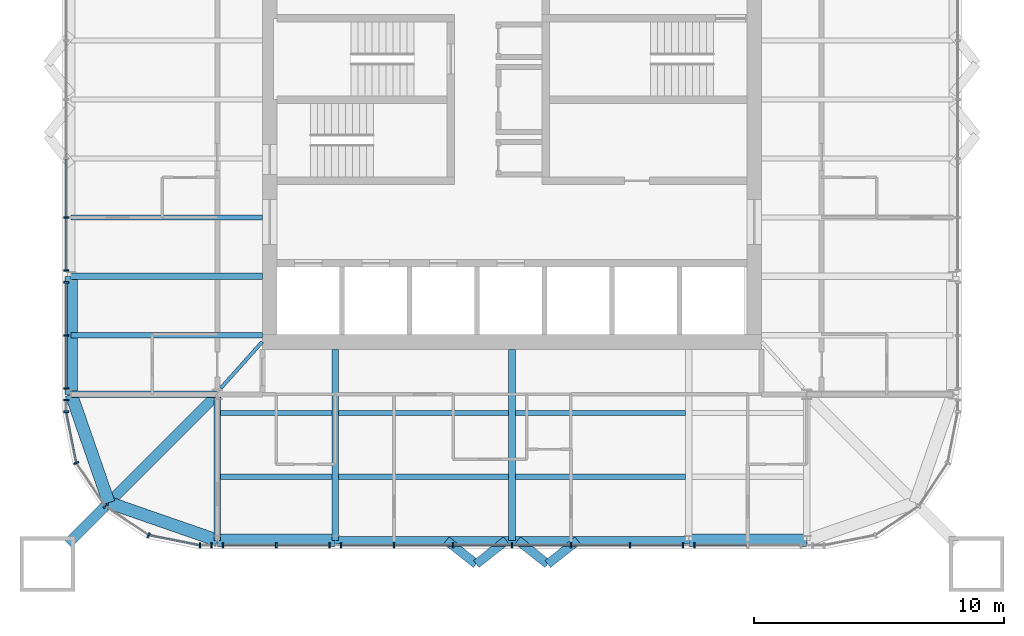
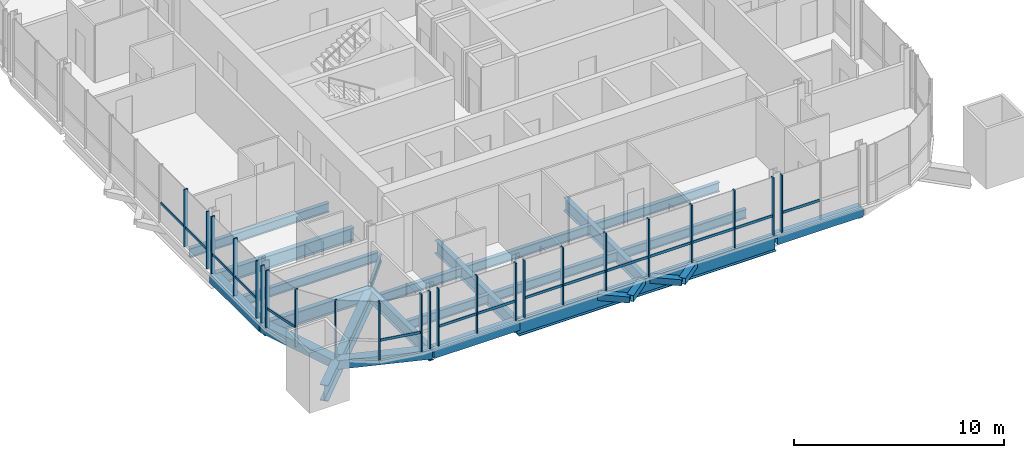
# One storey, part 2 of 17: 38 members, 25 beams, 8 elements without a shape of their own.
"""IFC4 building model written with IfcOpenShell, lengths in metres."""

import ifcopenshell
import ifcopenshell.guid

model = None  # the IFC model being written
_history = None  # IfcOwnerHistory: only IFC2X3 demands one
_inside = {}  # id of a spatial element -> (the spatial element, [elements in it])
_under = {}  # id of a project, library or spatial element -> (it, [spatial elements below it])
_declared = {}  # id of a project -> (the project, [libraries it declares])
_typed = {}  # id of a type object -> (the type object, [elements of that type])
_made_of = {}  # id of a material, layer set ... -> (it, [elements and type objects made of it])


def new_model(schema):
    """Start an empty IFC model of exactly this schema.

    Asked for "IFC4X3", IfcOpenShell would pick the latest addendum, in which some entities
    have other attributes; the version numbers below select the first issue.
    IFC2X3 requires an IfcOwnerHistory on every rooted entity: one is made here for all.
    """
    global model, _history
    if schema == "IFC4X3":
        model = ifcopenshell.file(schema_version=(4, 3, 0, 0))
    else:
        model = ifcopenshell.file(schema=schema)
    _inside.clear()
    _under.clear()
    _declared.clear()
    _typed.clear()
    _made_of.clear()
    _history = None
    if model.schema == "IFC2X3":
        org = make("IfcOrganization", Name="unknown")
        user = make(
            "IfcPersonAndOrganization",
            ThePerson=make("IfcPerson", FamilyName="unknown"),
            TheOrganization=org,
        )
        app = make(
            "IfcApplication",
            ApplicationDeveloper=org,
            Version="unknown",
            ApplicationFullName="unknown",
            ApplicationIdentifier="unknown",
        )
        _history = make(
            "IfcOwnerHistory",
            OwningUser=user,
            OwningApplication=app,
            ChangeAction="ADDED",
            CreationDate=0,
        )
    return model


def make(cls, **values):
    """One entity of the class cls with the attributes given. An attribute that is None is left unset."""
    return model.create_entity(
        cls, **{name: value for name, value in values.items() if value is not None}
    )


def rooted(cls, **values):
    """An entity with a GlobalId (a new one), such as an element, a storey or a relation."""
    return make(cls, GlobalId=ifcopenshell.guid.new(), OwnerHistory=_history, **values)


def si_unit(unit_type, name, prefix=None):
    """IfcSIUnit, for example si_unit("LENGTHUNIT", "METRE", prefix="MILLI")."""
    return make("IfcSIUnit", UnitType=unit_type, Prefix=prefix, Name=name)


def assignment(units):
    """IfcUnitAssignment: the units of a project."""
    return None if units is None else make("IfcUnitAssignment", Units=units)


def point(xyz):
    """IfcCartesianPoint."""
    return None if xyz is None else make("IfcCartesianPoint", Coordinates=xyz)


def direction(xyz):
    """IfcDirection."""
    return None if xyz is None else make("IfcDirection", DirectionRatios=xyz)


def frame(location, z_axis=None, x_axis=None):
    """IfcAxis2Placement3D, a coordinate frame: its origin and axes. An axis left out is left unset."""
    return make(
        "IfcAxis2Placement3D",
        Location=point(location),
        Axis=direction(z_axis),
        RefDirection=direction(x_axis),
    )


def frame_2d(location, x_axis=None):
    """IfcAxis2Placement2D, a coordinate frame in the plane: its origin and x axis."""
    return make(
        "IfcAxis2Placement2D", Location=point(location), RefDirection=direction(x_axis)
    )


def origin():
    """The frame at (0, 0, 0) with its axes left unset."""
    return frame((0.0, 0.0, 0.0))


def origin_2d():
    """The frame at (0, 0) in the plane with its x axis left unset."""
    return frame_2d((0.0, 0.0))


def place(relative_to, where):
    """IfcLocalPlacement: puts the frame where relative to a parent placement (None: the world)."""
    return make(
        "IfcLocalPlacement", PlacementRelTo=relative_to, RelativePlacement=where
    )


def context(
    kind, dimensions, precision=None, world=None, true_north=None, identifier=None
):
    """IfcGeometricRepresentationContext, for example the 3D "Model" context."""
    return make(
        "IfcGeometricRepresentationContext",
        ContextIdentifier=identifier,
        ContextType=kind,
        CoordinateSpaceDimension=dimensions,
        Precision=precision,
        WorldCoordinateSystem=world,
        TrueNorth=true_north,
    )


def subcontext(parent, identifier, kind, view, scale=None):
    """IfcGeometricRepresentationSubContext, for example "Body" below "Model"."""
    return make(
        "IfcGeometricRepresentationSubContext",
        ContextIdentifier=identifier,
        ContextType=kind,
        ParentContext=parent,
        TargetScale=scale,
        TargetView=view,
    )


def project(units=None, contexts=None):
    """IfcProject with its units and contexts."""
    return rooted(
        "IfcProject",
        Name="project",
        RepresentationContexts=contexts,
        UnitsInContext=assignment(units),
    )


def spatial(cls, under=None, at=None, **own):
    """A site, building, storey or space (cls), placed at a placement, below another one or the project."""
    s = rooted(cls, ObjectPlacement=at, **own)
    if under is not None:
        _under.setdefault(under.id(), (under, []))[1].append(s)
    return s


def profile(cls, at=None, kind="AREA", **sizes):
    """A parametric profile (cls). Its sizes go by their IFC names, for example OverallWidth=200.0."""
    return make(cls, ProfileType=kind, Position=at, **sizes)


def rectangle(**sizes):
    """IfcRectangleProfileDef."""
    return profile("IfcRectangleProfileDef", **sizes)


def hollow_rectangle(**sizes):
    """IfcRectangleHollowProfileDef."""
    return profile("IfcRectangleHollowProfileDef", **sizes)


def i_section(**sizes):
    """IfcIShapeProfileDef."""
    return profile("IfcIShapeProfileDef", **sizes)


def extrude(swept, where, along, depth):
    """IfcExtrudedAreaSolid: the profile swept, set in the frame where, extruded along a direction by depth."""
    return make(
        "IfcExtrudedAreaSolid",
        SweptArea=swept,
        Position=where,
        ExtrudedDirection=direction(along),
        Depth=depth,
    )


def shape(context_of_items, identifier, shape_type, items):
    """IfcShapeRepresentation: the items that make up one representation, for example the "Body"."""
    return make(
        "IfcShapeRepresentation",
        ContextOfItems=context_of_items,
        RepresentationIdentifier=identifier,
        RepresentationType=shape_type,
        Items=items,
    )


def material(Name=None, Category=None):
    """IfcMaterial."""
    return make("IfcMaterial", Name=Name, Category=Category)


def material_profile(
    of_material, cross_section, Name=None, Category=None, Priority=None
):
    """IfcMaterialProfile: a cross section and its material."""
    return make(
        "IfcMaterialProfile",
        Name=Name,
        Material=of_material,
        Profile=cross_section,
        Priority=Priority,
        Category=Category,
    )


def profile_set(profiles, Name=None, composite=None):
    """IfcMaterialProfileSet."""
    return make(
        "IfcMaterialProfileSet",
        Name=Name,
        MaterialProfiles=profiles,
        CompositeProfile=composite,
    )


def made_of(thing, what):
    """Note that an element or type object is made of a material, layer set ...; save() writes the relation."""
    if what is not None:
        _made_of.setdefault(what.id(), (what, []))[1].append(thing)
    return thing


def type_object(cls, material=None, **own):
    """A type object (cls), such as IfcWallType, which elements share."""
    return made_of(rooted(cls, **own), material)


def element(
    cls,
    number,
    at=None,
    inside=None,
    cuts=None,
    type_object=None,
    material=None,
    context=None,
    identifier="Body",
    shape_type=None,
    held_by="IfcProductDefinitionShape",
    body=None,
    shapes=None,
    **own,
):
    """One element of the class cls, such as IfcWall. Its Tag is "e" and its number.

    at: its placement. inside: the storey or other place that contains it. cuts: it is an
    opening in that element (IfcRelVoidsElement). A single representation is given by context,
    identifier, shape_type and body (its items); several are given by shapes. held_by: the class
    of the entity that holds the representations. save() writes the other relations.
    """
    e = rooted(cls, Tag="e%d" % number, ObjectPlacement=at, **own)
    if body is not None:
        shapes = [shape(context, identifier, shape_type, body)]
    if shapes is not None:
        e.Representation = make(held_by, Representations=shapes)
    if inside is not None:
        _inside.setdefault(inside.id(), (inside, []))[1].append(e)
    if cuts is not None:
        rooted(
            "IfcRelVoidsElement", RelatingBuildingElement=cuts, RelatedOpeningElement=e
        )
    if type_object is not None:
        _typed.setdefault(type_object.id(), (type_object, []))[1].append(e)
    return made_of(e, material)


def aggregate(whole, parts):
    """IfcRelAggregates: a whole, such as a stair, and the parts it consists of."""
    return rooted("IfcRelAggregates", RelatingObject=whole, RelatedObjects=parts)


def save(model, path):
    """Write the relations noted so far, then the file.

    IfcRelAggregates (storeys below a building ...), IfcRelContainedInSpatialStructure (elements
    in a storey), IfcRelDefinesByType, IfcRelAssociatesMaterial and IfcRelDeclares: one each for
    every whole, place, type object, material and project.
    """
    for whole, parts in _under.values():
        aggregate(whole, parts)
    for where, things in _inside.values():
        rooted(
            "IfcRelContainedInSpatialStructure",
            RelatedElements=things,
            RelatingStructure=where,
        )
    for kind, things in _typed.values():
        rooted("IfcRelDefinesByType", RelatedObjects=things, RelatingType=kind)
    for what, things in _made_of.values():
        rooted("IfcRelAssociatesMaterial", RelatedObjects=things, RelatingMaterial=what)
    for by, libraries in _declared.values():
        rooted("IfcRelDeclares", RelatingContext=by, RelatedDefinitions=libraries)
    model.write(path)


model = new_model("IFC4")

# Units and contexts
model_context = context("Model", 3, precision=1e-05, world=origin(), true_north=direction((0.0, 1.0)))
body_context = subcontext(model_context, "Body", "Model", "MODEL_VIEW")
ifc_project = project(units=[si_unit("LENGTHUNIT", "METRE"), si_unit("AREAUNIT", "SQUARE_METRE"), si_unit("VOLUMEUNIT", "CUBIC_METRE"), si_unit("PLANEANGLEUNIT", "RADIAN"), si_unit("MASSUNIT", "GRAM", prefix="KILO")], contexts=[model_context])

# Site, building, storey
site_placement = place(None, origin())
site = spatial("IfcSite", under=ifc_project, at=site_placement, CompositionType="ELEMENT")
building_placement = place(site_placement, origin())
building = spatial("IfcBuilding", under=site, at=building_placement, Name="Turquesa Mirador Hotel Tower", CompositionType="ELEMENT")
storey_placement = place(building_placement, frame((0.0, 0.0, 247.699951171875)))
storey = spatial("IfcBuildingStorey", under=building, at=storey_placement, Name="L67", CompositionType="ELEMENT", Elevation=247.699951171875)

# Beams
ifc_material_1 = material(Name="Steel ASTM A572 Grade 50", Category="steel")
ifc_material_profile_1 = material_profile(ifc_material_1, hollow_rectangle(XDim=0.5, YDim=0.5, WallThickness=0.01611328125, at=origin_2d()), Name="BOX500X500X16")
ifc_profile_set_1 = profile_set([ifc_material_profile_1], Name="Steel ASTM A572 Grade 50")
beam_type_1 = type_object("IfcBeamType", Name="BEAM BOX500X500X16", PredefinedType="BEAM", material=ifc_profile_set_1)
for number, where, z_axis, x_axis, name in (
    (1, (43.199951171875, 27.35009765625, -0.419921875), (1.0, 0.0, 0.0), (0.0, 1.0, 0.0), "EB-L67-S-L"),
    (2, (62.080078125, 27.35009765625, -0.419921875), (1.0, 0.0, 0.0), (0.0, 1.0, 0.0), "EB-L67-S-R"),
    (3, (37.35009765625, 33.199951171875, -0.419921875), (0.0, 1.0, 0.0), (-1.0, 0.0, 0.0), "EB-L67-W-L"),
):
    element("IfcBeam", number, at=place(storey_placement, frame(where, z_axis=z_axis, x_axis=x_axis)), inside=storey, type_object=beam_type_1, Name=name, PredefinedType="BEAM", context=body_context, shape_type="SweptSolid", body=[
        extrude(hollow_rectangle(XDim=0.5, YDim=0.5, WallThickness=0.01611328125, at=origin_2d()), origin(), (0.0, 0.0, 1.0), 4.719970703125),
    ])
for number, where, z_axis, x_axis, name in (
    (4, (37.35009765625, 33.199951171875, -0.419921875), (0.328170356092, -0.944618556552, 0.0), (0.944618556552, 0.328170356092, 0.0), "KE-L67-3-0"),
    (5, (38.8583984375, 28.8583984375, -0.419921875), (0.944618556552, -0.328170356092, 0.0), (0.328170356092, 0.944618556552, 0.0), "KE-L67-3-1"),
):
    element("IfcBeam", number, at=place(storey_placement, frame(where, z_axis=z_axis, x_axis=x_axis)), inside=storey, type_object=beam_type_1, Name=name, PredefinedType="BEAM", context=body_context, shape_type="SweptSolid", body=[
        extrude(hollow_rectangle(XDim=0.5, YDim=0.5, WallThickness=0.01611328125, at=origin_2d()), origin(), (0.0, 0.0, 1.0), 4.59619140625),
    ])
ifc_material_2 = material(Name="Steel ASTM A992 Grade 50", Category="steel")
ifc_material_profile_2 = material_profile(ifc_material_2, i_section(OverallWidth=0.140380859375, OverallDepth=0.40380859375, WebThickness=0.007080078125, FlangeThickness=0.01123046875, at=origin_2d()), Name="W16X31")
ifc_profile_set_2 = profile_set([ifc_material_profile_2], Name="Steel ASTM A992 Grade 50")
beam_type_2 = type_object("IfcBeamType", Name="BEAM W16X31", PredefinedType="BEAM", material=ifc_profile_set_2)
beam_1_placement = place(storey_placement, frame((43.343505859375, 33.44873046875, -0.371826171875), z_axis=(0.666806350186, 0.745231032198, 0.0), x_axis=(-0.745231032198, 0.666806350186, 0.0)))
element("IfcBeam", 6, at=beam_1_placement, inside=storey, type_object=beam_type_2, Name="KT-L67-3", PredefinedType="BEAM", context=body_context, shape_type="SweptSolid", body=[
    extrude(i_section(OverallWidth=0.140380859375, OverallDepth=0.40380859375, WebThickness=0.007080078125, FlangeThickness=0.01123046875, at=origin_2d()), origin(), (0.0, 0.0, 1.0), 2.484130859375),
])
ifc_material_3 = material(Name="Steel ASTM A992 Grade 50", Category="steel")
ifc_material_profile_3 = material_profile(ifc_material_3, i_section(OverallWidth=0.209228515625, OverallDepth=0.533447265625, WebThickness=0.01025390625, FlangeThickness=0.015625, at=origin_2d()), Name="W21X62")
ifc_profile_set_3 = profile_set([ifc_material_profile_3], Name="Steel ASTM A992 Grade 50")
beam_type_3 = type_object("IfcBeamType", Name="BEAM W21X62", PredefinedType="BEAM", material=ifc_profile_set_3)
beam_2_placement = place(storey_placement, frame((43.333251953125, 32.449951171875, -0.436767578125), z_axis=(1.0, 0.0, 0.0), x_axis=(0.0, 1.0, 0.0)))
element("IfcBeam", 7, at=beam_2_placement, inside=storey, type_object=beam_type_3, Name="IB-L67-S-1-0", PredefinedType="BEAM", context=body_context, shape_type="SweptSolid", body=[
    extrude(i_section(OverallWidth=0.209228515625, OverallDepth=0.533447265625, WebThickness=0.01025390625, FlangeThickness=0.015625, at=origin_2d()), origin(), (0.0, 0.0, 1.0), 4.453369140625),
])
for number, where, z_axis, x_axis, name in (
    (8, (48.053466796875, 32.449951171875, -0.436767578125), (1.0, 0.0, 0.0), (0.0, 1.0, 0.0), "IB-L67-S-1-1"),
    (9, (55.13330078125, 32.449951171875, -0.436767578125), (1.0, 0.0, 0.0), (0.0, 1.0, 0.0), "IB-L67-S-1-2"),
):
    element("IfcBeam", number, at=place(storey_placement, frame(where, z_axis=z_axis, x_axis=x_axis)), inside=storey, type_object=beam_type_3, Name=name, PredefinedType="BEAM", context=body_context, shape_type="SweptSolid", body=[
        extrude(i_section(OverallWidth=0.209228515625, OverallDepth=0.533447265625, WebThickness=0.01025390625, FlangeThickness=0.015625, at=origin_2d()), origin(), (0.0, 0.0, 1.0), 6.813232421875),
    ])
beam_3_placement = place(storey_placement, frame((43.333251953125, 29.89990234375, -0.436767578125), z_axis=(1.0, 0.0, 0.0), x_axis=(0.0, 1.0, 0.0)))
element("IfcBeam", 10, at=beam_3_placement, inside=storey, type_object=beam_type_3, Name="IB-L67-S-2-0", PredefinedType="BEAM", context=body_context, shape_type="SweptSolid", body=[
    extrude(i_section(OverallWidth=0.209228515625, OverallDepth=0.533447265625, WebThickness=0.01025390625, FlangeThickness=0.015625, at=origin_2d()), origin(), (0.0, 0.0, 1.0), 4.453369140625),
])
for number, where, z_axis, x_axis, name in (
    (11, (48.053466796875, 29.89990234375, -0.436767578125), (1.0, 0.0, 0.0), (0.0, 1.0, 0.0), "IB-L67-S-2-1"),
    (12, (55.13330078125, 29.89990234375, -0.436767578125), (1.0, 0.0, 0.0), (0.0, 1.0, 0.0), "IB-L67-S-2-2"),
):
    element("IfcBeam", number, at=place(storey_placement, frame(where, z_axis=z_axis, x_axis=x_axis)), inside=storey, type_object=beam_type_3, Name=name, PredefinedType="BEAM", context=body_context, shape_type="SweptSolid", body=[
        extrude(i_section(OverallWidth=0.209228515625, OverallDepth=0.533447265625, WebThickness=0.01025390625, FlangeThickness=0.015625, at=origin_2d()), origin(), (0.0, 0.0, 1.0), 6.813232421875),
    ])
for number, where, z_axis, x_axis, name in (
    (13, (37.35009765625, 35.56005859375, -0.436767578125), (1.0, 0.0, 0.0), (0.0, 1.0, 0.0), "BM-L67-W--9.44"),
    (14, (37.35009765625, 40.280029296875, -0.436767578125), (1.0, 0.0, 0.0), (0.0, 1.0, 0.0), "BM-L67-W--4.72"),
):
    element("IfcBeam", number, at=place(storey_placement, frame(where, z_axis=z_axis, x_axis=x_axis)), inside=storey, type_object=beam_type_3, Name=name, PredefinedType="BEAM", context=body_context, shape_type="SweptSolid", body=[
        extrude(i_section(OverallWidth=0.209228515625, OverallDepth=0.533447265625, WebThickness=0.01025390625, FlangeThickness=0.015625, at=origin_2d()), origin(), (0.0, 0.0, 1.0), 7.64990234375),
    ])
ifc_material_4 = material(Name="Steel ASTM A992 Grade 50", Category="steel")
ifc_material_profile_4 = material_profile(ifc_material_4, i_section(OverallWidth=0.2666015625, OverallDepth=0.7568359375, WebThickness=0.013916015625, FlangeThickness=0.019287109375, at=origin_2d()), Name="W30X108")
ifc_profile_set_4 = profile_set([ifc_material_profile_4], Name="Steel ASTM A992 Grade 50")
beam_type_4 = type_object("IfcBeamType", Name="BEAM W30X108", PredefinedType="BEAM", material=ifc_profile_set_4)
for number, where, z_axis, x_axis, name in (
    (15, (47.919921875, 27.35009765625, -0.54833984375), (0.0, 1.0, 0.0), (-1.0, 0.0, 0.0), "GD-L67-S--7.08"),
    (16, (55.0, 27.35009765625, -0.54833984375), (0.0, 1.0, 0.0), (-1.0, 0.0, 0.0), "GD-L67-S-+0.00"),
):
    element("IfcBeam", number, at=place(storey_placement, frame(where, z_axis=z_axis, x_axis=x_axis)), inside=storey, type_object=beam_type_4, Name=name, PredefinedType="BEAM", context=body_context, shape_type="SweptSolid", body=[
        extrude(i_section(OverallWidth=0.2666015625, OverallDepth=0.7568359375, WebThickness=0.013916015625, FlangeThickness=0.019287109375, at=origin_2d()), origin(), (0.0, 0.0, 1.0), 7.64990234375),
    ])
beam_4_placement = place(storey_placement, frame((43.199951171875, 27.35009765625, -0.54833984375), z_axis=(0.0, 1.0, 0.0), x_axis=(-1.0, 0.0, 0.0)))
element("IfcBeam", 17, at=beam_4_placement, inside=storey, type_object=beam_type_4, Name="GK-L67-S--11.80", PredefinedType="BEAM", context=body_context, shape_type="SweptSolid", body=[
    extrude(i_section(OverallWidth=0.2666015625, OverallDepth=0.7568359375, WebThickness=0.013916015625, FlangeThickness=0.019287109375, at=origin_2d()), origin(), (0.0, 0.0, 1.0), 5.849853515625),
])
beam_5_placement = place(storey_placement, frame((37.35009765625, 37.919921875, -0.54833984375), z_axis=(1.0, 0.0, 0.0), x_axis=(0.0, 1.0, 0.0)))
element("IfcBeam", 18, at=beam_5_placement, inside=storey, type_object=beam_type_4, Name="GD-L67-W--7.08", PredefinedType="BEAM", context=body_context, shape_type="SweptSolid", body=[
    extrude(i_section(OverallWidth=0.2666015625, OverallDepth=0.7568359375, WebThickness=0.013916015625, FlangeThickness=0.019287109375, at=origin_2d()), origin(), (0.0, 0.0, 1.0), 7.64990234375),
])
beam_6_placement = place(storey_placement, frame((37.35009765625, 33.199951171875, -0.54833984375), z_axis=(1.0, 0.0, 0.0), x_axis=(0.0, 1.0, 0.0)))
element("IfcBeam", 19, at=beam_6_placement, inside=storey, type_object=beam_type_4, Name="GK-L67-W--11.80", PredefinedType="BEAM", context=body_context, shape_type="SweptSolid", body=[
    extrude(i_section(OverallWidth=0.2666015625, OverallDepth=0.7568359375, WebThickness=0.013916015625, FlangeThickness=0.019287109375, at=origin_2d()), origin(), (0.0, 0.0, 1.0), 5.849853515625),
])
ifc_material_5 = material(Name="Steel ASTM A992 Grade 50", Category="steel")
ifc_material_profile_5 = material_profile(ifc_material_5, i_section(OverallWidth=0.3046875, OverallDepth=0.911865234375, WebThickness=0.015869140625, FlangeThickness=0.02392578125, at=origin_2d()), Name="W36X150")
ifc_profile_set_5 = profile_set([ifc_material_profile_5], Name="Steel ASTM A992 Grade 50")
beam_type_5 = type_object("IfcBeamType", Name="BEAM W36X150", PredefinedType="BEAM", material=ifc_profile_set_5)
beam_7_placement = place(storey_placement, frame((47.919921875, 27.35009765625, -0.6259765625), z_axis=(1.0, 0.0, 0.0), x_axis=(0.0, 1.0, 0.0)))
element("IfcBeam", 20, at=beam_7_placement, inside=storey, type_object=beam_type_5, Name="EB-L67-S-C", PredefinedType="BEAM", context=body_context, shape_type="SweptSolid", body=[
    extrude(i_section(OverallWidth=0.3046875, OverallDepth=0.911865234375, WebThickness=0.015869140625, FlangeThickness=0.02392578125, at=origin_2d()), origin(), (0.0, 0.0, 1.0), 14.16015625),
])
ifc_material_6 = material(Name="Steel ASTM A992 Grade 50", Category="steel")
ifc_material_profile_6 = material_profile(ifc_material_6, i_section(OverallWidth=0.419189453125, OverallDepth=0.927001953125, WebThickness=0.019287109375, FlangeThickness=0.031982421875, at=origin_2d()), Name="W36X231")
ifc_profile_set_6 = profile_set([ifc_material_profile_6], Name="Steel ASTM A992 Grade 50")
beam_type_6 = type_object("IfcBeamType", Name="BEAM W36X231", PredefinedType="BEAM", material=ifc_profile_set_6)
beam_8_placement = place(storey_placement, frame((43.199951171875, 33.199951171875, -0.633544921875), z_axis=(-0.707106781187, -0.707106781187, 0.0), x_axis=(0.707106781187, -0.707106781187, 0.0)))
element("IfcBeam", 21, at=beam_8_placement, inside=storey, type_object=beam_type_6, Name="KD-L67-3", PredefinedType="BEAM", context=body_context, shape_type="SweptSolid", body=[
    extrude(i_section(OverallWidth=0.419189453125, OverallDepth=0.927001953125, WebThickness=0.019287109375, FlangeThickness=0.031982421875, at=origin_2d()), origin(), (0.0, 0.0, 1.0), 8.46240234375),
])
ifc_material_7 = material(Name="Steel ASTM A500 Grade C", Category="steel")
ifc_material_profile_7 = material_profile(ifc_material_7, hollow_rectangle(XDim=0.355712890625, YDim=0.355712890625, WallThickness=0.0146484375, at=origin_2d()), Name="HSS14X14X5/8")
ifc_profile_set_7 = profile_set([ifc_material_profile_7], Name="Steel ASTM A500 Grade C")
beam_type_7 = type_object("IfcBeamType", Name="BRACE STRUT HSS14X14X5/8", PredefinedType="BEAM", material=ifc_profile_set_7)
beam_9_placement = place(storey_placement, frame((53.5693359375, 26.39990234375, -0.34765625), z_axis=(-0.784032888399, 0.620719284306, 0.0), x_axis=(-0.620719284306, -0.784032888399, 0.0)))
element("IfcBeam", 22, at=beam_9_placement, inside=storey, type_object=beam_type_7, Name="Brace strut", PredefinedType="BEAM", context=body_context, shape_type="SweptSolid", body=[
    extrude(hollow_rectangle(XDim=0.355712890625, YDim=0.355712890625, WallThickness=0.0146484375, at=origin_2d()), origin(), (0.0, 0.0, 1.0), 1.53076171875),
])
for number, where, z_axis, x_axis, name in (
    (23, (53.5693359375, 26.39990234375, -0.34765625), (0.783971428146, 0.620796907089, 0.0), (-0.620796907089, 0.783971428146, 0.0), "Brace strut"),
    (24, (56.4306640625, 26.39990234375, -0.34765625), (-0.783971428146, 0.620796907089, 0.0), (-0.620796907089, -0.783971428146, 0.0), "Brace strut"),
):
    element("IfcBeam", number, at=place(storey_placement, frame(where, z_axis=z_axis, x_axis=x_axis)), inside=storey, type_object=beam_type_7, Name=name, PredefinedType="BEAM", context=body_context, shape_type="SweptSolid", body=[
        extrude(hollow_rectangle(XDim=0.355712890625, YDim=0.355712890625, WallThickness=0.0146484375, at=origin_2d()), origin(), (0.0, 0.0, 1.0), 1.530517578125),
    ])
beam_10_placement = place(storey_placement, frame((56.4306640625, 26.39990234375, -0.34765625), z_axis=(0.784032888399, 0.620719284306, 0.0), x_axis=(-0.620719284306, 0.784032888399, 0.0)))
element("IfcBeam", 25, at=beam_10_placement, inside=storey, type_object=beam_type_7, Name="Brace strut", PredefinedType="BEAM", context=body_context, shape_type="SweptSolid", body=[
    extrude(hollow_rectangle(XDim=0.355712890625, YDim=0.355712890625, WallThickness=0.0146484375, at=origin_2d()), origin(), (0.0, 0.0, 1.0), 1.53076171875),
])

# Curtain wall, members
ifc_material_8 = material(Name="Aluminium extrusion", Category="aluminium")
curtain_wall_type = type_object("IfcCurtainWallType", Name="CW-4 SUITE FRITTED CURTAIN WALL", PredefinedType="USERDEFINED", material=ifc_material_8)
curtain_wall_1_placement = place(storey_placement, origin())
curtain_wall_1 = element("IfcCurtainWall", 26, at=curtain_wall_1_placement, inside=storey, type_object=curtain_wall_type, Name="CW-4 SUITE FRITTED CURTAIN WALL L67", ObjectType="CURTAIN WALL", PredefinedType="USERDEFINED")
ifc_material_9 = material(Name="Aluminium extrusion", Category="aluminium")
ifc_material_profile_8 = material_profile(ifc_material_9, rectangle(XDim=0.06494140625, YDim=0.199951171875, at=origin_2d()), Name="MULLION 65X200")
ifc_profile_set_8 = profile_set([ifc_material_profile_8], Name="Aluminium extrusion")
member_type_1 = type_object("IfcMemberType", Name="CW MULLION 65X200", PredefinedType="MULLION", material=ifc_profile_set_8)
member_1_placement = place(storey_placement, frame((37.14990234375, 40.280029296875, 0.0), z_axis=(0.0, 0.0, 1.0), x_axis=(0.0, -1.0, 0.0)))
member_1 = element("IfcMember", 27, at=member_1_placement, type_object=member_type_1, Name="Mullion", PredefinedType="MULLION", context=body_context, shape_type="SweptSolid", body=[
    extrude(rectangle(XDim=0.06494140625, YDim=0.199951171875, at=origin_2d()), origin(), (0.0, 0.0, 1.0), 3.330078125),
])
member_2_placement = place(storey_placement, frame((37.14990234375, 38.15380859375, 0.0), z_axis=(0.0, 0.0, 1.0), x_axis=(0.0, -1.0, 0.0)))
member_2 = element("IfcMember", 28, at=member_2_placement, type_object=member_type_1, Name="Mullion", PredefinedType="MULLION", context=body_context, shape_type="SweptSolid", body=[
    extrude(rectangle(XDim=0.06494140625, YDim=0.199951171875, at=origin_2d()), origin(), (0.0, 0.0, 1.0), 3.330078125),
])

curtain_wall_2_placement = place(storey_placement, origin())
curtain_wall_2 = element("IfcCurtainWall", 29, at=curtain_wall_2_placement, inside=storey, type_object=curtain_wall_type, Name="CW-4 SUITE FRITTED CURTAIN WALL L67", ObjectType="CURTAIN WALL", PredefinedType="USERDEFINED")
member_3_placement = place(storey_placement, frame((37.14990234375, 37.68603515625, 0.0), z_axis=(0.0, 0.0, 1.0), x_axis=(0.0, -1.0, 0.0)))
member_3 = element("IfcMember", 30, at=member_3_placement, type_object=member_type_1, Name="Mullion", PredefinedType="MULLION", context=body_context, shape_type="SweptSolid", body=[
    extrude(rectangle(XDim=0.06494140625, YDim=0.199951171875, at=origin_2d()), origin(), (0.0, 0.0, 1.0), 3.330078125),
])
member_4_placement = place(storey_placement, frame((37.14990234375, 35.56005859375, 0.0), z_axis=(0.0, 0.0, 1.0), x_axis=(0.0, -1.0, 0.0)))
member_4 = element("IfcMember", 31, at=member_4_placement, type_object=member_type_1, Name="Mullion", PredefinedType="MULLION", context=body_context, shape_type="SweptSolid", body=[
    extrude(rectangle(XDim=0.06494140625, YDim=0.199951171875, at=origin_2d()), origin(), (0.0, 0.0, 1.0), 3.330078125),
])
member_5_placement = place(storey_placement, frame((37.14990234375, 33.433837890625, 0.0), z_axis=(0.0, 0.0, 1.0), x_axis=(0.0, -1.0, 0.0)))
member_5 = element("IfcMember", 32, at=member_5_placement, type_object=member_type_1, Name="Mullion", PredefinedType="MULLION", context=body_context, shape_type="SweptSolid", body=[
    extrude(rectangle(XDim=0.06494140625, YDim=0.199951171875, at=origin_2d()), origin(), (0.0, 0.0, 1.0), 3.330078125),
])

curtain_wall_3_placement = place(storey_placement, origin())
curtain_wall_3 = element("IfcCurtainWall", 33, at=curtain_wall_3_placement, inside=storey, type_object=curtain_wall_type, Name="CW-4 SUITE FRITTED CURTAIN WALL L67", ObjectType="CURTAIN WALL", PredefinedType="USERDEFINED")
member_6_placement = place(storey_placement, frame((37.14990234375, 32.966064453125, 0.0), z_axis=(0.0, 0.0, 1.0), x_axis=(0.0, -1.0, 0.0)))
member_6 = element("IfcMember", 34, at=member_6_placement, type_object=member_type_1, Name="Mullion", PredefinedType="MULLION", context=body_context, shape_type="SweptSolid", body=[
    extrude(rectangle(XDim=0.06494140625, YDim=0.199951171875, at=origin_2d()), origin(), (0.0, 0.0, 1.0), 3.330078125),
])
member_7_placement = place(storey_placement, frame((37.14990234375, 32.5, 0.0), z_axis=(0.0, 0.0, 1.0), x_axis=(0.0, -1.0, 0.0)))
member_7 = element("IfcMember", 35, at=member_7_placement, type_object=member_type_1, Name="Mullion", PredefinedType="MULLION", context=body_context, shape_type="SweptSolid", body=[
    extrude(rectangle(XDim=0.06494140625, YDim=0.199951171875, at=origin_2d()), origin(), (0.0, 0.0, 1.0), 3.330078125),
])
aggregate(curtain_wall_3, [member_6, member_7])

curtain_wall_4_placement = place(storey_placement, origin())
curtain_wall_4 = element("IfcCurtainWall", 36, at=curtain_wall_4_placement, inside=storey, type_object=curtain_wall_type, Name="CW-4 SUITE FRITTED CURTAIN WALL L67", ObjectType="CURTAIN WALL", PredefinedType="USERDEFINED")
member_8_placement = place(storey_placement, frame((37.55712890625, 30.45263671875, 0.0), z_axis=(0.0, 0.0, 1.0), x_axis=(0.382683432365, -0.923879532511, 0.0)))
member_8 = element("IfcMember", 37, at=member_8_placement, type_object=member_type_1, Name="Mullion", PredefinedType="MULLION", context=body_context, shape_type="SweptSolid", body=[
    extrude(rectangle(XDim=0.06494140625, YDim=0.199951171875, at=origin_2d()), origin(), (0.0, 0.0, 1.0), 3.330078125),
])
member_9_placement = place(storey_placement, frame((38.717041015625, 28.717041015625, 0.0), z_axis=(0.0, 0.0, 1.0), x_axis=(0.707106781187, -0.707106781187, 0.0)))
member_9 = element("IfcMember", 38, at=member_9_placement, type_object=member_type_1, Name="Mullion", PredefinedType="MULLION", context=body_context, shape_type="SweptSolid", body=[
    extrude(rectangle(XDim=0.06494140625, YDim=0.199951171875, at=origin_2d()), origin(), (0.0, 0.0, 1.0), 3.330078125),
])
member_10_placement = place(storey_placement, frame((40.45263671875, 27.55712890625, 0.0), z_axis=(0.0, 0.0, 1.0), x_axis=(0.923879532511, -0.382683432365, 0.0)))
member_10 = element("IfcMember", 39, at=member_10_placement, type_object=member_type_1, Name="Mullion", PredefinedType="MULLION", context=body_context, shape_type="SweptSolid", body=[
    extrude(rectangle(XDim=0.06494140625, YDim=0.199951171875, at=origin_2d()), origin(), (0.0, 0.0, 1.0), 3.330078125),
])

curtain_wall_5_placement = place(storey_placement, origin())
curtain_wall_5 = element("IfcCurtainWall", 40, at=curtain_wall_5_placement, inside=storey, type_object=curtain_wall_type, Name="CW-4 SUITE FRITTED CURTAIN WALL L67", ObjectType="CURTAIN WALL", PredefinedType="USERDEFINED")
member_11_placement = place(storey_placement, frame((42.5, 27.14990234375, 0.0), z_axis=(0.0, 0.0, 1.0), x_axis=(1.0, 0.0, 0.0)))
member_11 = element("IfcMember", 41, at=member_11_placement, type_object=member_type_1, Name="Mullion", PredefinedType="MULLION", context=body_context, shape_type="SweptSolid", body=[
    extrude(rectangle(XDim=0.06494140625, YDim=0.199951171875, at=origin_2d()), origin(), (0.0, 0.0, 1.0), 3.330078125),
])
member_12_placement = place(storey_placement, frame((42.966064453125, 27.14990234375, 0.0), z_axis=(0.0, 0.0, 1.0), x_axis=(1.0, 0.0, 0.0)))
member_12 = element("IfcMember", 42, at=member_12_placement, type_object=member_type_1, Name="Mullion", PredefinedType="MULLION", context=body_context, shape_type="SweptSolid", body=[
    extrude(rectangle(XDim=0.06494140625, YDim=0.199951171875, at=origin_2d()), origin(), (0.0, 0.0, 1.0), 3.330078125),
])
aggregate(curtain_wall_5, [member_11, member_12])

curtain_wall_6_placement = place(storey_placement, origin())
curtain_wall_6 = element("IfcCurtainWall", 43, at=curtain_wall_6_placement, inside=storey, type_object=curtain_wall_type, Name="CW-4 SUITE FRITTED CURTAIN WALL L67", ObjectType="CURTAIN WALL", PredefinedType="USERDEFINED")
member_13_placement = place(storey_placement, frame((43.433837890625, 27.14990234375, 0.0), z_axis=(0.0, 0.0, 1.0), x_axis=(1.0, 0.0, 0.0)))
member_13 = element("IfcMember", 44, at=member_13_placement, type_object=member_type_1, Name="Mullion", PredefinedType="MULLION", context=body_context, shape_type="SweptSolid", body=[
    extrude(rectangle(XDim=0.06494140625, YDim=0.199951171875, at=origin_2d()), origin(), (0.0, 0.0, 1.0), 3.330078125),
])
member_14_placement = place(storey_placement, frame((45.56005859375, 27.14990234375, 0.0), z_axis=(0.0, 0.0, 1.0), x_axis=(1.0, 0.0, 0.0)))
member_14 = element("IfcMember", 45, at=member_14_placement, type_object=member_type_1, Name="Mullion", PredefinedType="MULLION", context=body_context, shape_type="SweptSolid", body=[
    extrude(rectangle(XDim=0.06494140625, YDim=0.199951171875, at=origin_2d()), origin(), (0.0, 0.0, 1.0), 3.330078125),
])
member_15_placement = place(storey_placement, frame((47.68603515625, 27.14990234375, 0.0), z_axis=(0.0, 0.0, 1.0), x_axis=(1.0, 0.0, 0.0)))
member_15 = element("IfcMember", 46, at=member_15_placement, type_object=member_type_1, Name="Mullion", PredefinedType="MULLION", context=body_context, shape_type="SweptSolid", body=[
    extrude(rectangle(XDim=0.06494140625, YDim=0.199951171875, at=origin_2d()), origin(), (0.0, 0.0, 1.0), 3.330078125),
])

curtain_wall_7_placement = place(storey_placement, origin())
curtain_wall_7 = element("IfcCurtainWall", 47, at=curtain_wall_7_placement, inside=storey, type_object=curtain_wall_type, Name="CW-4 SUITE FRITTED CURTAIN WALL L67", ObjectType="CURTAIN WALL", PredefinedType="USERDEFINED")
member_16_placement = place(storey_placement, frame((48.15380859375, 27.14990234375, 0.0), z_axis=(0.0, 0.0, 1.0), x_axis=(1.0, 0.0, 0.0)))
member_16 = element("IfcMember", 48, at=member_16_placement, type_object=member_type_1, Name="Mullion", PredefinedType="MULLION", context=body_context, shape_type="SweptSolid", body=[
    extrude(rectangle(XDim=0.06494140625, YDim=0.199951171875, at=origin_2d()), origin(), (0.0, 0.0, 1.0), 3.330078125),
])
member_17_placement = place(storey_placement, frame((50.280029296875, 27.14990234375, 0.0), z_axis=(0.0, 0.0, 1.0), x_axis=(1.0, 0.0, 0.0)))
member_17 = element("IfcMember", 49, at=member_17_placement, type_object=member_type_1, Name="Mullion", PredefinedType="MULLION", context=body_context, shape_type="SweptSolid", body=[
    extrude(rectangle(XDim=0.06494140625, YDim=0.199951171875, at=origin_2d()), origin(), (0.0, 0.0, 1.0), 3.330078125),
])
member_18_placement = place(storey_placement, frame((52.639892578125, 27.14990234375, 0.0), z_axis=(0.0, 0.0, 1.0), x_axis=(1.0, 0.0, 0.0)))
member_18 = element("IfcMember", 50, at=member_18_placement, type_object=member_type_1, Name="Mullion", PredefinedType="MULLION", context=body_context, shape_type="SweptSolid", body=[
    extrude(rectangle(XDim=0.06494140625, YDim=0.199951171875, at=origin_2d()), origin(), (0.0, 0.0, 1.0), 3.330078125),
])
member_19_placement = place(storey_placement, frame((55.0, 27.14990234375, 0.0), z_axis=(0.0, 0.0, 1.0), x_axis=(1.0, 0.0, 0.0)))
member_19 = element("IfcMember", 51, at=member_19_placement, type_object=member_type_1, Name="Mullion", PredefinedType="MULLION", context=body_context, shape_type="SweptSolid", body=[
    extrude(rectangle(XDim=0.06494140625, YDim=0.199951171875, at=origin_2d()), origin(), (0.0, 0.0, 1.0), 3.330078125),
])
member_20_placement = place(storey_placement, frame((57.360107421875, 27.14990234375, 0.0), z_axis=(0.0, 0.0, 1.0), x_axis=(1.0, 0.0, 0.0)))
member_20 = element("IfcMember", 52, at=member_20_placement, type_object=member_type_1, Name="Mullion", PredefinedType="MULLION", context=body_context, shape_type="SweptSolid", body=[
    extrude(rectangle(XDim=0.06494140625, YDim=0.199951171875, at=origin_2d()), origin(), (0.0, 0.0, 1.0), 3.330078125),
])
member_21_placement = place(storey_placement, frame((59.719970703125, 27.14990234375, 0.0), z_axis=(0.0, 0.0, 1.0), x_axis=(1.0, 0.0, 0.0)))
member_21 = element("IfcMember", 53, at=member_21_placement, type_object=member_type_1, Name="Mullion", PredefinedType="MULLION", context=body_context, shape_type="SweptSolid", body=[
    extrude(rectangle(XDim=0.06494140625, YDim=0.199951171875, at=origin_2d()), origin(), (0.0, 0.0, 1.0), 3.330078125),
])
member_22_placement = place(storey_placement, frame((61.84619140625, 27.14990234375, 0.0), z_axis=(0.0, 0.0, 1.0), x_axis=(1.0, 0.0, 0.0)))
member_22 = element("IfcMember", 54, at=member_22_placement, type_object=member_type_1, Name="Mullion", PredefinedType="MULLION", context=body_context, shape_type="SweptSolid", body=[
    extrude(rectangle(XDim=0.06494140625, YDim=0.199951171875, at=origin_2d()), origin(), (0.0, 0.0, 1.0), 3.330078125),
])

# Curtain wall, member
curtain_wall_8_placement = place(storey_placement, origin())
curtain_wall_8 = element("IfcCurtainWall", 55, at=curtain_wall_8_placement, inside=storey, type_object=curtain_wall_type, Name="CW-4 SUITE FRITTED CURTAIN WALL L67", ObjectType="CURTAIN WALL", PredefinedType="USERDEFINED")
member_23_placement = place(storey_placement, frame((62.31396484375, 27.14990234375, 0.0), z_axis=(0.0, 0.0, 1.0), x_axis=(1.0, 0.0, 0.0)))
member_23 = element("IfcMember", 56, at=member_23_placement, type_object=member_type_1, Name="Mullion", PredefinedType="MULLION", context=body_context, shape_type="SweptSolid", body=[
    extrude(rectangle(XDim=0.06494140625, YDim=0.199951171875, at=origin_2d()), origin(), (0.0, 0.0, 1.0), 3.330078125),
])

# Member
ifc_material_10 = material(Name="Aluminium extrusion", Category="aluminium")
ifc_material_profile_9 = material_profile(ifc_material_10, rectangle(XDim=0.06494140625, YDim=0.14990234375, at=origin_2d()), Name="TRANSOM 65X150")
ifc_profile_set_9 = profile_set([ifc_material_profile_9], Name="Aluminium extrusion")
member_type_2 = type_object("IfcMemberType", Name="CW TRANSOM 65X150", PredefinedType="USERDEFINED", material=ifc_profile_set_9)
member_24_placement = place(storey_placement, frame((37.14990234375, 42.607421875, 1.10009765625), z_axis=(0.0, -1.0, 0.0), x_axis=(1.0, 0.0, 0.0)))
member_24 = element("IfcMember", 57, at=member_24_placement, type_object=member_type_2, Name="Transom", ObjectType="TRANSOM", PredefinedType="USERDEFINED", context=body_context, shape_type="SweptSolid", body=[
    extrude(rectangle(XDim=0.06494140625, YDim=0.14990234375, at=origin_2d()), origin(), (0.0, 0.0, 1.0), 2.294921875),
])

member_25_placement = place(storey_placement, frame((37.14990234375, 40.24755859375, 1.10009765625), z_axis=(0.0, -1.0, 0.0), x_axis=(1.0, 0.0, 0.0)))
member_25 = element("IfcMember", 58, at=member_25_placement, type_object=member_type_2, Name="Transom", ObjectType="TRANSOM", PredefinedType="USERDEFINED", context=body_context, shape_type="SweptSolid", body=[
    extrude(rectangle(XDim=0.06494140625, YDim=0.14990234375, at=origin_2d()), origin(), (0.0, 0.0, 1.0), 2.061279296875),
])

aggregate(curtain_wall_1, [member_1, member_2, member_24, member_25])

member_26_placement = place(storey_placement, frame((37.14990234375, 37.653564453125, 1.10009765625), z_axis=(0.0, -1.0, 0.0), x_axis=(1.0, 0.0, 0.0)))
member_26 = element("IfcMember", 59, at=member_26_placement, type_object=member_type_2, Name="Transom", ObjectType="TRANSOM", PredefinedType="USERDEFINED", context=body_context, shape_type="SweptSolid", body=[
    extrude(rectangle(XDim=0.06494140625, YDim=0.14990234375, at=origin_2d()), origin(), (0.0, 0.0, 1.0), 2.06103515625),
])

member_27_placement = place(storey_placement, frame((37.14990234375, 35.527587890625, 1.10009765625), z_axis=(0.0, -1.0, 0.0), x_axis=(1.0, 0.0, 0.0)))
member_27 = element("IfcMember", 60, at=member_27_placement, type_object=member_type_2, Name="Transom", ObjectType="TRANSOM", PredefinedType="USERDEFINED", context=body_context, shape_type="SweptSolid", body=[
    extrude(rectangle(XDim=0.06494140625, YDim=0.14990234375, at=origin_2d()), origin(), (0.0, 0.0, 1.0), 2.061279296875),
])

aggregate(curtain_wall_2, [member_3, member_4, member_5, member_26, member_27])

member_28_placement = place(storey_placement, frame((37.15625, 32.468017578125, 1.10009765625), z_axis=(0.195210621934, -0.980761343592, 0.0), x_axis=(0.980761343592, 0.195210621934, 0.0)))
member_28 = element("IfcMember", 61, at=member_28_placement, type_object=member_type_2, Name="Transom", ObjectType="TRANSOM", PredefinedType="USERDEFINED", context=body_context, shape_type="SweptSolid", body=[
    extrude(rectangle(XDim=0.06494140625, YDim=0.14990234375, at=origin_2d()), origin(), (0.0, 0.0, 1.0), 2.022216796875),
])

member_29_placement = place(storey_placement, frame((40.484619140625, 27.551025390625, 1.10009765625), z_axis=(0.980761343592, -0.195210621934, 0.0), x_axis=(0.195210621934, 0.980761343592, 0.0)))
member_29 = element("IfcMember", 62, at=member_29_placement, type_object=member_type_2, Name="Transom", ObjectType="TRANSOM", PredefinedType="USERDEFINED", context=body_context, shape_type="SweptSolid", body=[
    extrude(rectangle(XDim=0.06494140625, YDim=0.14990234375, at=origin_2d()), origin(), (0.0, 0.0, 1.0), 2.022216796875),
])

aggregate(curtain_wall_4, [member_8, member_9, member_10, member_28, member_29])

member_30_placement = place(storey_placement, frame((43.46630859375, 27.14990234375, 1.10009765625), z_axis=(1.0, 0.0, 0.0), x_axis=(0.0, 1.0, 0.0)))
member_30 = element("IfcMember", 63, at=member_30_placement, type_object=member_type_2, Name="Transom", ObjectType="TRANSOM", PredefinedType="USERDEFINED", context=body_context, shape_type="SweptSolid", body=[
    extrude(rectangle(XDim=0.06494140625, YDim=0.14990234375, at=origin_2d()), origin(), (0.0, 0.0, 1.0), 2.061279296875),
])

member_31_placement = place(storey_placement, frame((45.592529296875, 27.14990234375, 1.10009765625), z_axis=(1.0, 0.0, 0.0), x_axis=(0.0, 1.0, 0.0)))
member_31 = element("IfcMember", 64, at=member_31_placement, type_object=member_type_2, Name="Transom", ObjectType="TRANSOM", PredefinedType="USERDEFINED", context=body_context, shape_type="SweptSolid", body=[
    extrude(rectangle(XDim=0.06494140625, YDim=0.14990234375, at=origin_2d()), origin(), (0.0, 0.0, 1.0), 2.06103515625),
])

aggregate(curtain_wall_6, [member_13, member_14, member_15, member_30, member_31])

member_32_placement = place(storey_placement, frame((48.186279296875, 27.14990234375, 1.10009765625), z_axis=(1.0, 0.0, 0.0), x_axis=(0.0, 1.0, 0.0)))
member_32 = element("IfcMember", 65, at=member_32_placement, type_object=member_type_2, Name="Transom", ObjectType="TRANSOM", PredefinedType="USERDEFINED", context=body_context, shape_type="SweptSolid", body=[
    extrude(rectangle(XDim=0.06494140625, YDim=0.14990234375, at=origin_2d()), origin(), (0.0, 0.0, 1.0), 2.061279296875),
])

member_33_placement = place(storey_placement, frame((50.3125, 27.14990234375, 1.10009765625), z_axis=(1.0, 0.0, 0.0), x_axis=(0.0, 1.0, 0.0)))
member_33 = element("IfcMember", 66, at=member_33_placement, type_object=member_type_2, Name="Transom", ObjectType="TRANSOM", PredefinedType="USERDEFINED", context=body_context, shape_type="SweptSolid", body=[
    extrude(rectangle(XDim=0.06494140625, YDim=0.14990234375, at=origin_2d()), origin(), (0.0, 0.0, 1.0), 2.294921875),
])

member_34_placement = place(storey_placement, frame((52.672607421875, 27.14990234375, 1.10009765625), z_axis=(1.0, 0.0, 0.0), x_axis=(0.0, 1.0, 0.0)))
member_34 = element("IfcMember", 67, at=member_34_placement, type_object=member_type_2, Name="Transom", ObjectType="TRANSOM", PredefinedType="USERDEFINED", context=body_context, shape_type="SweptSolid", body=[
    extrude(rectangle(XDim=0.06494140625, YDim=0.14990234375, at=origin_2d()), origin(), (0.0, 0.0, 1.0), 2.294921875),
])

member_35_placement = place(storey_placement, frame((55.032470703125, 27.14990234375, 1.10009765625), z_axis=(1.0, 0.0, 0.0), x_axis=(0.0, 1.0, 0.0)))
member_35 = element("IfcMember", 68, at=member_35_placement, type_object=member_type_2, Name="Transom", ObjectType="TRANSOM", PredefinedType="USERDEFINED", context=body_context, shape_type="SweptSolid", body=[
    extrude(rectangle(XDim=0.06494140625, YDim=0.14990234375, at=origin_2d()), origin(), (0.0, 0.0, 1.0), 2.294921875),
])

member_36_placement = place(storey_placement, frame((57.392578125, 27.14990234375, 1.10009765625), z_axis=(1.0, 0.0, 0.0), x_axis=(0.0, 1.0, 0.0)))
member_36 = element("IfcMember", 69, at=member_36_placement, type_object=member_type_2, Name="Transom", ObjectType="TRANSOM", PredefinedType="USERDEFINED", context=body_context, shape_type="SweptSolid", body=[
    extrude(rectangle(XDim=0.06494140625, YDim=0.14990234375, at=origin_2d()), origin(), (0.0, 0.0, 1.0), 2.294921875),
])

member_37_placement = place(storey_placement, frame((59.75244140625, 27.14990234375, 1.10009765625), z_axis=(1.0, 0.0, 0.0), x_axis=(0.0, 1.0, 0.0)))
member_37 = element("IfcMember", 70, at=member_37_placement, type_object=member_type_2, Name="Transom", ObjectType="TRANSOM", PredefinedType="USERDEFINED", context=body_context, shape_type="SweptSolid", body=[
    extrude(rectangle(XDim=0.06494140625, YDim=0.14990234375, at=origin_2d()), origin(), (0.0, 0.0, 1.0), 2.061279296875),
])

aggregate(curtain_wall_7, [member_16, member_17, member_18, member_19, member_20, member_21, member_22, member_32, member_33, member_34, member_35, member_36, member_37])

member_38_placement = place(storey_placement, frame((62.346435546875, 27.14990234375, 1.10009765625), z_axis=(1.0, 0.0, 0.0), x_axis=(0.0, 1.0, 0.0)))
member_38 = element("IfcMember", 71, at=member_38_placement, type_object=member_type_2, Name="Transom", ObjectType="TRANSOM", PredefinedType="USERDEFINED", context=body_context, shape_type="SweptSolid", body=[
    extrude(rectangle(XDim=0.06494140625, YDim=0.14990234375, at=origin_2d()), origin(), (0.0, 0.0, 1.0), 2.06103515625),
])

aggregate(curtain_wall_8, [member_23, member_38])

save(model, "model.ifc")
